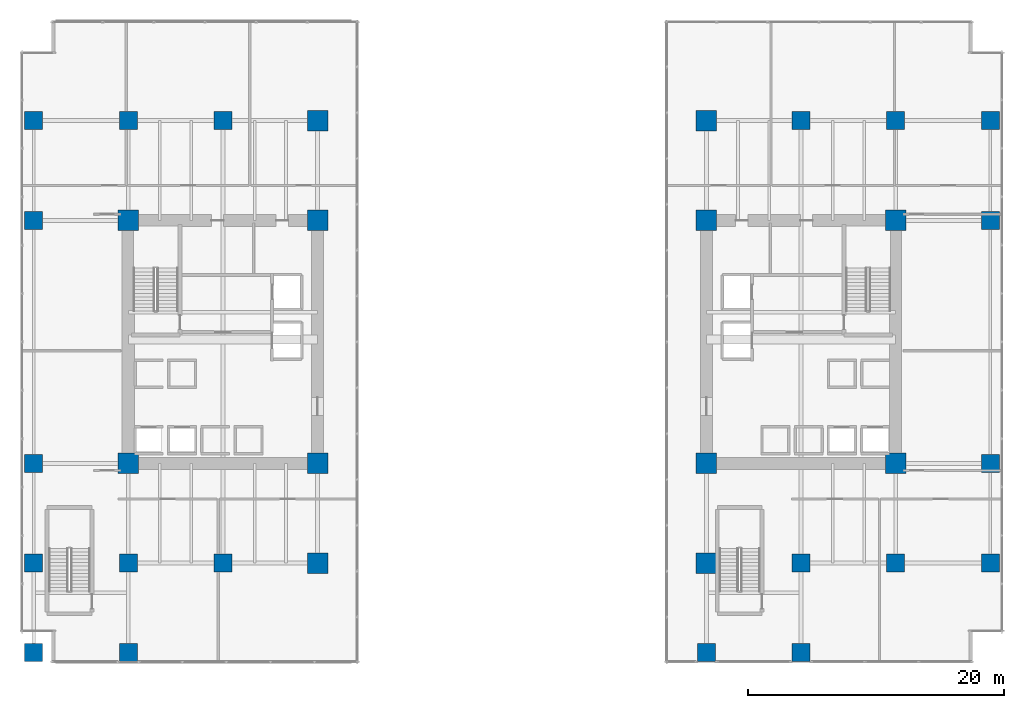
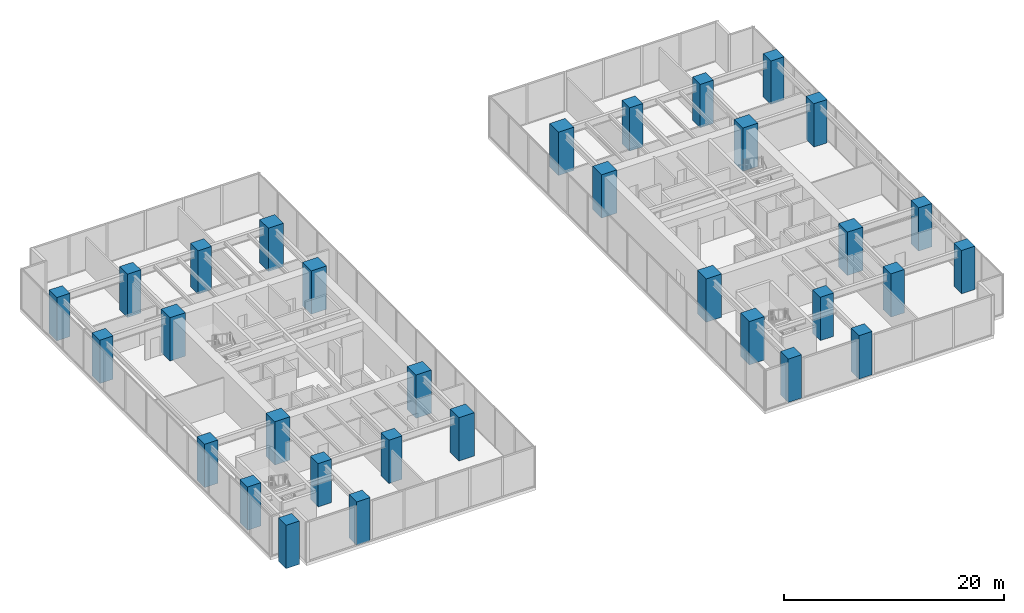
# One storey, part 1 of 32: 32 columns.
"""IFC4 building model written with IfcOpenShell, lengths in metres."""

import ifcopenshell
import ifcopenshell.guid

model = None  # the IFC model being written
_history = None  # IfcOwnerHistory: only IFC2X3 demands one
_inside = {}  # id of a spatial element -> (the spatial element, [elements in it])
_under = {}  # id of a project, library or spatial element -> (it, [spatial elements below it])
_declared = {}  # id of a project -> (the project, [libraries it declares])
_typed = {}  # id of a type object -> (the type object, [elements of that type])
_made_of = {}  # id of a material, layer set ... -> (it, [elements and type objects made of it])


def new_model(schema):
    """Start an empty IFC model of exactly this schema.

    Asked for "IFC4X3", IfcOpenShell would pick the latest addendum, in which some entities
    have other attributes; the version numbers below select the first issue.
    IFC2X3 requires an IfcOwnerHistory on every rooted entity: one is made here for all.
    """
    global model, _history
    if schema == "IFC4X3":
        model = ifcopenshell.file(schema_version=(4, 3, 0, 0))
    else:
        model = ifcopenshell.file(schema=schema)
    _inside.clear()
    _under.clear()
    _declared.clear()
    _typed.clear()
    _made_of.clear()
    _history = None
    if model.schema == "IFC2X3":
        org = make("IfcOrganization", Name="unknown")
        user = make(
            "IfcPersonAndOrganization",
            ThePerson=make("IfcPerson", FamilyName="unknown"),
            TheOrganization=org,
        )
        app = make(
            "IfcApplication",
            ApplicationDeveloper=org,
            Version="unknown",
            ApplicationFullName="unknown",
            ApplicationIdentifier="unknown",
        )
        _history = make(
            "IfcOwnerHistory",
            OwningUser=user,
            OwningApplication=app,
            ChangeAction="ADDED",
            CreationDate=0,
        )
    return model


def make(cls, **values):
    """One entity of the class cls with the attributes given. An attribute that is None is left unset."""
    return model.create_entity(
        cls, **{name: value for name, value in values.items() if value is not None}
    )


def rooted(cls, **values):
    """An entity with a GlobalId (a new one), such as an element, a storey or a relation."""
    return make(cls, GlobalId=ifcopenshell.guid.new(), OwnerHistory=_history, **values)


def si_unit(unit_type, name, prefix=None):
    """IfcSIUnit, for example si_unit("LENGTHUNIT", "METRE", prefix="MILLI")."""
    return make("IfcSIUnit", UnitType=unit_type, Prefix=prefix, Name=name)


def assignment(units):
    """IfcUnitAssignment: the units of a project."""
    return None if units is None else make("IfcUnitAssignment", Units=units)


def point(xyz):
    """IfcCartesianPoint."""
    return None if xyz is None else make("IfcCartesianPoint", Coordinates=xyz)


def direction(xyz):
    """IfcDirection."""
    return None if xyz is None else make("IfcDirection", DirectionRatios=xyz)


def frame(location, z_axis=None, x_axis=None):
    """IfcAxis2Placement3D, a coordinate frame: its origin and axes. An axis left out is left unset."""
    return make(
        "IfcAxis2Placement3D",
        Location=point(location),
        Axis=direction(z_axis),
        RefDirection=direction(x_axis),
    )


def frame_2d(location, x_axis=None):
    """IfcAxis2Placement2D, a coordinate frame in the plane: its origin and x axis."""
    return make(
        "IfcAxis2Placement2D", Location=point(location), RefDirection=direction(x_axis)
    )


def origin():
    """The frame at (0, 0, 0) with its axes left unset."""
    return frame((0.0, 0.0, 0.0))


def origin_2d():
    """The frame at (0, 0) in the plane with its x axis left unset."""
    return frame_2d((0.0, 0.0))


def place(relative_to, where):
    """IfcLocalPlacement: puts the frame where relative to a parent placement (None: the world)."""
    return make(
        "IfcLocalPlacement", PlacementRelTo=relative_to, RelativePlacement=where
    )


def context(
    kind, dimensions, precision=None, world=None, true_north=None, identifier=None
):
    """IfcGeometricRepresentationContext, for example the 3D "Model" context."""
    return make(
        "IfcGeometricRepresentationContext",
        ContextIdentifier=identifier,
        ContextType=kind,
        CoordinateSpaceDimension=dimensions,
        Precision=precision,
        WorldCoordinateSystem=world,
        TrueNorth=true_north,
    )


def subcontext(parent, identifier, kind, view, scale=None):
    """IfcGeometricRepresentationSubContext, for example "Body" below "Model"."""
    return make(
        "IfcGeometricRepresentationSubContext",
        ContextIdentifier=identifier,
        ContextType=kind,
        ParentContext=parent,
        TargetScale=scale,
        TargetView=view,
    )


def project(units=None, contexts=None):
    """IfcProject with its units and contexts."""
    return rooted(
        "IfcProject",
        Name="project",
        RepresentationContexts=contexts,
        UnitsInContext=assignment(units),
    )


def spatial(cls, under=None, at=None, **own):
    """A site, building, storey or space (cls), placed at a placement, below another one or the project."""
    s = rooted(cls, ObjectPlacement=at, **own)
    if under is not None:
        _under.setdefault(under.id(), (under, []))[1].append(s)
    return s


def profile(cls, at=None, kind="AREA", **sizes):
    """A parametric profile (cls). Its sizes go by their IFC names, for example OverallWidth=200.0."""
    return make(cls, ProfileType=kind, Position=at, **sizes)


def rectangle(**sizes):
    """IfcRectangleProfileDef."""
    return profile("IfcRectangleProfileDef", **sizes)


def extrude(swept, where, along, depth):
    """IfcExtrudedAreaSolid: the profile swept, set in the frame where, extruded along a direction by depth."""
    return make(
        "IfcExtrudedAreaSolid",
        SweptArea=swept,
        Position=where,
        ExtrudedDirection=direction(along),
        Depth=depth,
    )


def shape(context_of_items, identifier, shape_type, items):
    """IfcShapeRepresentation: the items that make up one representation, for example the "Body"."""
    return make(
        "IfcShapeRepresentation",
        ContextOfItems=context_of_items,
        RepresentationIdentifier=identifier,
        RepresentationType=shape_type,
        Items=items,
    )


def source(mapping_origin, context_of_items, identifier, shape_type, items):
    """IfcRepresentationMap: a shape defined once, which mapped items show again and again."""
    return make(
        "IfcRepresentationMap",
        MappingOrigin=mapping_origin,
        MappedRepresentation=shape(context_of_items, identifier, shape_type, items),
    )


def transform(
    local_origin,
    x_axis=None,
    y_axis=None,
    z_axis=None,
    scale=None,
    scale2=None,
    scale3=None,
    uniform=True,
):
    """IfcCartesianTransformationOperator3D, or its non-uniform kind. x_axis, y_axis, z_axis: its Axis1, 2, 3."""
    if uniform:
        return make(
            "IfcCartesianTransformationOperator3D",
            Axis1=direction(x_axis),
            Axis2=direction(y_axis),
            LocalOrigin=point(local_origin),
            Scale=scale,
            Axis3=direction(z_axis),
        )
    return make(
        "IfcCartesianTransformationOperator3DnonUniform",
        Axis1=direction(x_axis),
        Axis2=direction(y_axis),
        LocalOrigin=point(local_origin),
        Scale=scale,
        Axis3=direction(z_axis),
        Scale2=scale2,
        Scale3=scale3,
    )


def mapped(mapping_source, mapping_target):
    """IfcMappedItem: shows the shape of a source again, moved by a transform."""
    return make(
        "IfcMappedItem", MappingSource=mapping_source, MappingTarget=mapping_target
    )


def material(Name=None, Category=None):
    """IfcMaterial."""
    return make("IfcMaterial", Name=Name, Category=Category)


def material_profile(
    of_material, cross_section, Name=None, Category=None, Priority=None
):
    """IfcMaterialProfile: a cross section and its material."""
    return make(
        "IfcMaterialProfile",
        Name=Name,
        Material=of_material,
        Profile=cross_section,
        Priority=Priority,
        Category=Category,
    )


def profile_set(profiles, Name=None, composite=None):
    """IfcMaterialProfileSet."""
    return make(
        "IfcMaterialProfileSet",
        Name=Name,
        MaterialProfiles=profiles,
        CompositeProfile=composite,
    )


def made_of(thing, what):
    """Note that an element or type object is made of a material, layer set ...; save() writes the relation."""
    if what is not None:
        _made_of.setdefault(what.id(), (what, []))[1].append(thing)
    return thing


def type_object(cls, material=None, **own):
    """A type object (cls), such as IfcWallType, which elements share."""
    return made_of(rooted(cls, **own), material)


def type_shapes(of_type, sources):
    """Give a type object the sources (RepresentationMaps) that its elements show as mapped items."""
    of_type.RepresentationMaps = sources


def element(
    cls,
    number,
    at=None,
    inside=None,
    cuts=None,
    type_object=None,
    material=None,
    context=None,
    identifier="Body",
    shape_type=None,
    held_by="IfcProductDefinitionShape",
    body=None,
    shapes=None,
    **own,
):
    """One element of the class cls, such as IfcWall. Its Tag is "e" and its number.

    at: its placement. inside: the storey or other place that contains it. cuts: it is an
    opening in that element (IfcRelVoidsElement). A single representation is given by context,
    identifier, shape_type and body (its items); several are given by shapes. held_by: the class
    of the entity that holds the representations. save() writes the other relations.
    """
    e = rooted(cls, Tag="e%d" % number, ObjectPlacement=at, **own)
    if body is not None:
        shapes = [shape(context, identifier, shape_type, body)]
    if shapes is not None:
        e.Representation = make(held_by, Representations=shapes)
    if inside is not None:
        _inside.setdefault(inside.id(), (inside, []))[1].append(e)
    if cuts is not None:
        rooted(
            "IfcRelVoidsElement", RelatingBuildingElement=cuts, RelatedOpeningElement=e
        )
    if type_object is not None:
        _typed.setdefault(type_object.id(), (type_object, []))[1].append(e)
    return made_of(e, material)


def aggregate(whole, parts):
    """IfcRelAggregates: a whole, such as a stair, and the parts it consists of."""
    return rooted("IfcRelAggregates", RelatingObject=whole, RelatedObjects=parts)


def save(model, path):
    """Write the relations noted so far, then the file.

    IfcRelAggregates (storeys below a building ...), IfcRelContainedInSpatialStructure (elements
    in a storey), IfcRelDefinesByType, IfcRelAssociatesMaterial and IfcRelDeclares: one each for
    every whole, place, type object, material and project.
    """
    for whole, parts in _under.values():
        aggregate(whole, parts)
    for where, things in _inside.values():
        rooted(
            "IfcRelContainedInSpatialStructure",
            RelatedElements=things,
            RelatingStructure=where,
        )
    for kind, things in _typed.values():
        rooted("IfcRelDefinesByType", RelatedObjects=things, RelatingType=kind)
    for what, things in _made_of.values():
        rooted("IfcRelAssociatesMaterial", RelatedObjects=things, RelatingMaterial=what)
    for by, libraries in _declared.values():
        rooted("IfcRelDeclares", RelatingContext=by, RelatedDefinitions=libraries)
    model.write(path)


model = new_model("IFC4")

# Units and contexts
model_context = context("Model", 3, precision=1e-05, world=origin(), true_north=direction((0.0, 1.0)))
body_context = subcontext(model_context, "Body", "Model", "MODEL_VIEW")
ifc_project = project(units=[si_unit("LENGTHUNIT", "METRE"), si_unit("AREAUNIT", "SQUARE_METRE"), si_unit("VOLUMEUNIT", "CUBIC_METRE"), si_unit("PLANEANGLEUNIT", "RADIAN"), si_unit("MASSUNIT", "GRAM", prefix="KILO")], contexts=[model_context])

# Site, building, storey
site_placement = place(None, origin())
site = spatial("IfcSite", under=ifc_project, at=site_placement, CompositionType="ELEMENT")
building_placement = place(site_placement, origin())
building = spatial("IfcBuilding", under=site, at=building_placement, Name="Haelvirn Gate Laboratories", CompositionType="ELEMENT")
storey_placement = place(building_placement, frame((0.0, 0.0, 5.39990234375)))
storey = spatial("IfcBuildingStorey", under=building, at=storey_placement, Name="L02", CompositionType="ELEMENT", Elevation=5.39990234375)

# Columns
ifc_material = material(Name="Concrete C70/85", Category="concrete")
ifc_material_profile_1 = material_profile(ifc_material, rectangle(XDim=1.39990234375, YDim=1.39990234375, at=origin_2d()), Name="SRC-1400x1400")
ifc_profile_set_1 = profile_set([ifc_material_profile_1], Name="Concrete C70/85")
column_type_1 = type_object("IfcColumnType", Name="COL-SRC-1400", PredefinedType="COLUMN", material=ifc_profile_set_1)
shared_shape_1 = source(origin(), body_context, "Body", "SweptSolid", [
    extrude(rectangle(XDim=1.39990234375, YDim=1.39990234375, at=origin_2d()), origin(), (0.0, 0.0, 1.0), 4.800048828125),
])
type_shapes(column_type_1, [shared_shape_1])
for number, where, z_axis, x_axis, name in (
    (1, (14.800048828125, 7.0, 0.0), (0.0, 0.0, 1.0), (1.0, 0.0, 0.0), "L02 Column 3B"),
    (2, (14.800048828125, 41.60009765625, 0.0), (0.0, 0.0, 1.0), (1.0, 0.0, 0.0), "L02 Column 3G"),
    (3, (60.0, 7.0, 0.0), (0.0, 0.0, 1.0), (1.0, 0.0, 0.0), "L02 Column 9B"),
    (4, (60.0, 41.60009765625, 0.0), (0.0, 0.0, 1.0), (1.0, 0.0, 0.0), "L02 Column 9G"),
    (5, (7.39990234375, 7.0, 0.0), (0.0, 0.0, 1.0), (1.0, 0.0, 0.0), "L02 Column 2B"),
    (6, (7.39990234375, 41.60009765625, 0.0), (0.0, 0.0, 1.0), (1.0, 0.0, 0.0), "L02 Column 2G"),
    (7, (67.39990234375, 7.0, 0.0), (0.0, 0.0, 1.0), (1.0, 0.0, 0.0), "L02 Column 10B"),
    (8, (67.39990234375, 41.60009765625, 0.0), (0.0, 0.0, 1.0), (1.0, 0.0, 0.0), "L02 Column 10G"),
    (9, (0.0, 7.0, 0.0), (0.0, 0.0, 1.0), (1.0, 0.0, 0.0), "L02 Column 1B"),
    (10, (0.0, 14.800048828125, 0.0), (0.0, 0.0, 1.0), (1.0, 0.0, 0.0), "L02 Column 1C"),
    (11, (0.0, 33.800048828125, 0.0), (0.0, 0.0, 1.0), (1.0, 0.0, 0.0), "L02 Column 1F"),
    (12, (0.0, 41.60009765625, 0.0), (0.0, 0.0, 1.0), (1.0, 0.0, 0.0), "L02 Column 1G"),
    (13, (74.800048828125, 7.0, 0.0), (0.0, 0.0, 1.0), (1.0, 0.0, 0.0), "L02 Column 11B"),
    (14, (74.800048828125, 14.800048828125, 0.0), (0.0, 0.0, 1.0), (1.0, 0.0, 0.0), "L02 Column 11C"),
    (15, (74.800048828125, 33.800048828125, 0.0), (0.0, 0.0, 1.0), (1.0, 0.0, 0.0), "L02 Column 11F"),
    (16, (74.800048828125, 41.60009765625, 0.0), (0.0, 0.0, 1.0), (1.0, 0.0, 0.0), "L02 Column 11G"),
    (17, (0.0, 0.0, 0.0), (0.0, 0.0, 1.0), (1.0, 0.0, 0.0), "L02 Column 1A"),
    (18, (7.39990234375, 0.0, 0.0), (0.0, 0.0, 1.0), (1.0, 0.0, 0.0), "L02 Column 2A"),
    (19, (52.60009765625, 0.0, 0.0), (0.0, 0.0, 1.0), (1.0, 0.0, 0.0), "L02 Column 8A"),
    (20, (60.0, 0.0, 0.0), (0.0, 0.0, 1.0), (1.0, 0.0, 0.0), "L02 Column 9A"),
):
    element("IfcColumn", number, at=place(storey_placement, frame(where, z_axis=z_axis, x_axis=x_axis)), inside=storey, type_object=column_type_1, Name=name, PredefinedType="COLUMN", context=body_context, shape_type="MappedRepresentation", body=[
        mapped(shared_shape_1, transform((0.0, 0.0, 0.0), scale=1.0)),
    ])
ifc_material_profile_2 = material_profile(ifc_material, rectangle(XDim=1.60009765625, YDim=1.60009765625, at=origin_2d()), Name="SRC-1600x1600")
ifc_profile_set_2 = profile_set([ifc_material_profile_2], Name="Concrete C70/85")
column_type_2 = type_object("IfcColumnType", Name="COL-SRC-1600", PredefinedType="COLUMN", material=ifc_profile_set_2)
shared_shape_2 = source(origin(), body_context, "Body", "SweptSolid", [
    extrude(rectangle(XDim=1.60009765625, YDim=1.60009765625, at=origin_2d()), origin(), (0.0, 0.0, 1.0), 4.800048828125),
])
type_shapes(column_type_2, [shared_shape_2])
for number, where, z_axis, x_axis, name in (
    (21, (22.199951171875, 7.0, 0.0), (0.0, 0.0, 1.0), (1.0, 0.0, 0.0), "L02 Column 4B"),
    (22, (7.39990234375, 14.800048828125, 0.0), (0.0, 0.0, 1.0), (1.0, 0.0, 0.0), "L02 Column 2C"),
    (23, (22.199951171875, 14.800048828125, 0.0), (0.0, 0.0, 1.0), (1.0, 0.0, 0.0), "L02 Column 4C"),
    (24, (7.39990234375, 33.800048828125, 0.0), (0.0, 0.0, 1.0), (1.0, 0.0, 0.0), "L02 Column 2F"),
    (25, (22.199951171875, 33.800048828125, 0.0), (0.0, 0.0, 1.0), (1.0, 0.0, 0.0), "L02 Column 4F"),
    (26, (22.199951171875, 41.60009765625, 0.0), (0.0, 0.0, 1.0), (1.0, 0.0, 0.0), "L02 Column 4G"),
    (27, (52.60009765625, 7.0, 0.0), (0.0, 0.0, 1.0), (1.0, 0.0, 0.0), "L02 Column 8B"),
    (28, (52.60009765625, 14.800048828125, 0.0), (0.0, 0.0, 1.0), (1.0, 0.0, 0.0), "L02 Column 8C"),
    (29, (67.39990234375, 14.800048828125, 0.0), (0.0, 0.0, 1.0), (1.0, 0.0, 0.0), "L02 Column 10C"),
    (30, (52.60009765625, 33.800048828125, 0.0), (0.0, 0.0, 1.0), (1.0, 0.0, 0.0), "L02 Column 8F"),
    (31, (67.39990234375, 33.800048828125, 0.0), (0.0, 0.0, 1.0), (1.0, 0.0, 0.0), "L02 Column 10F"),
    (32, (52.60009765625, 41.60009765625, 0.0), (0.0, 0.0, 1.0), (1.0, 0.0, 0.0), "L02 Column 8G"),
):
    element("IfcColumn", number, at=place(storey_placement, frame(where, z_axis=z_axis, x_axis=x_axis)), inside=storey, type_object=column_type_2, Name=name, PredefinedType="COLUMN", context=body_context, shape_type="MappedRepresentation", body=[
        mapped(shared_shape_2, transform((0.0, 0.0, 0.0), scale=1.0)),
    ])

save(model, "model.ifc")
